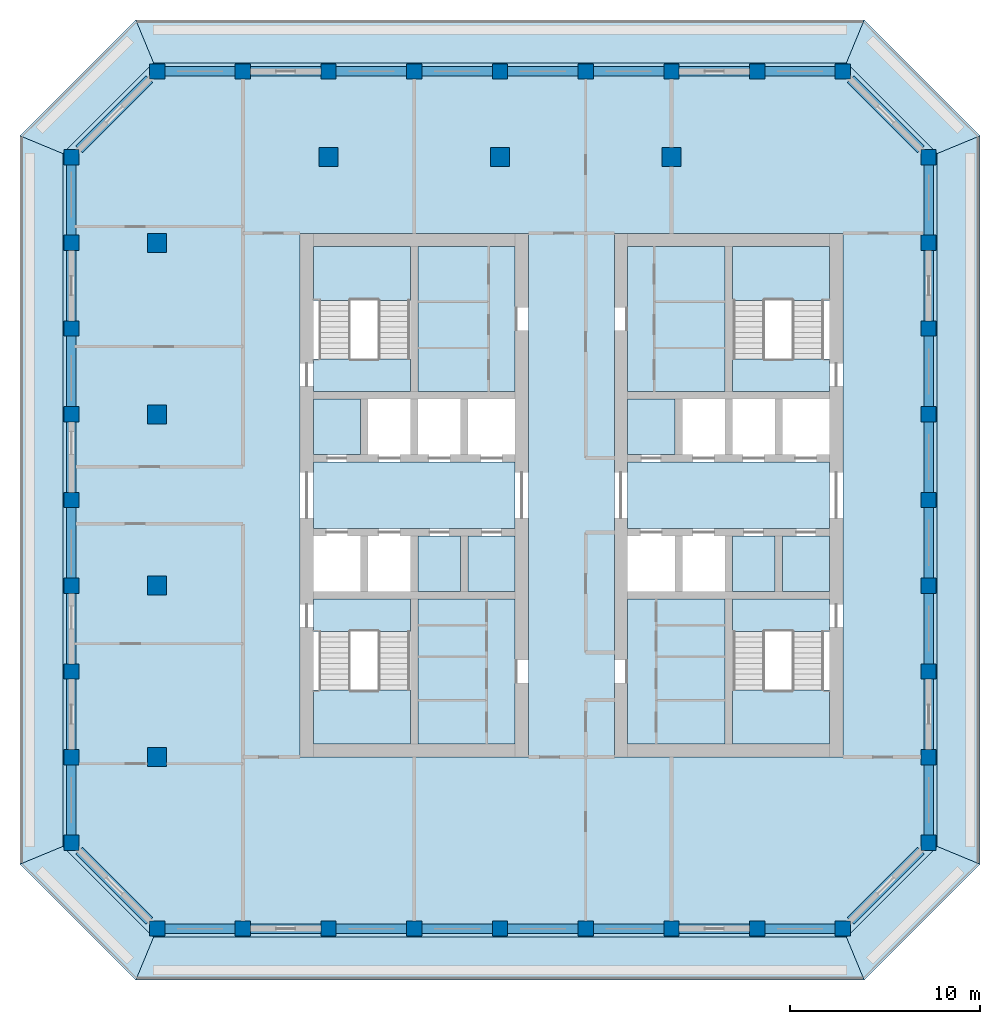
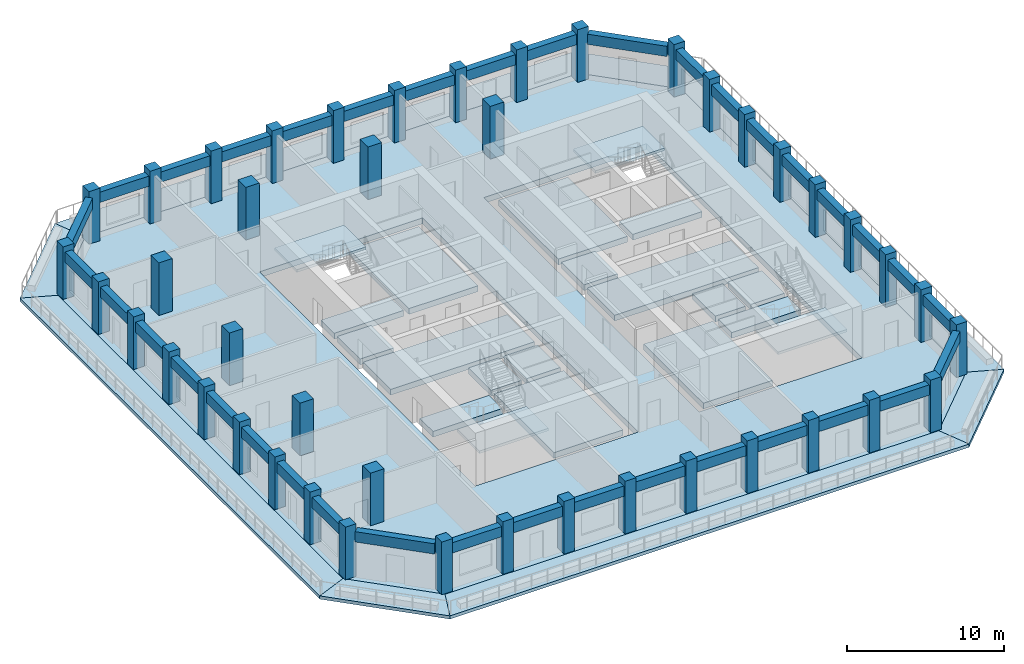
# One storey, part 1 of 14: 43 columns, 36 beams, 29 slabs, 4 elements without a shape of their own.
"""IFC4 building model written with IfcOpenShell, lengths in metres."""

from ifc_helpers import new_model, si_unit, direction, frame, origin, origin_2d, place, context, subcontext, project, spatial, polyline, rectangle, outline, extrude, material, layer, layer_set, material_profile, profile_set, type_object, element, aggregate, save


model = new_model("IFC4")

# Units and contexts
model_context = context("Model", 3, precision=1e-05, world=origin(), true_north=direction((0.0, 1.0)))
body_context = subcontext(model_context, "Body", "Model", "MODEL_VIEW")
ifc_project = project(units=[si_unit("LENGTHUNIT", "METRE"), si_unit("AREAUNIT", "SQUARE_METRE"), si_unit("VOLUMEUNIT", "CUBIC_METRE"), si_unit("PLANEANGLEUNIT", "RADIAN"), si_unit("MASSUNIT", "GRAM", prefix="KILO")], contexts=[model_context])

# Site, building, storey
site_placement = place(None, origin())
site = spatial("IfcSite", under=ifc_project, at=site_placement, CompositionType="ELEMENT")
building_placement = place(site_placement, origin())
building = spatial("IfcBuilding", under=site, at=building_placement, Name="Corbel Stack Research Tower", CompositionType="ELEMENT")
storey_placement = place(building_placement, frame((0.0, 0.0, 286.800048828125)))
storey = spatial("IfcBuildingStorey", under=building, at=storey_placement, Name="L65", CompositionType="ELEMENT", Elevation=286.800048828125)

# Columns
ifc_material_1 = material(Name="Concrete C60/75", Category="concrete")
ifc_material_profile_1 = material_profile(ifc_material_1, rectangle(XDim=1.0, YDim=1.0, at=origin_2d()), Name="RC 1000 x 1000")
ifc_profile_set_1 = profile_set([ifc_material_profile_1], Name="Concrete C60/75")
column_type_1 = type_object("IfcColumnType", Name="C-1000-60", PredefinedType="COLUMN", material=ifc_profile_set_1)
for number, where, z_axis, x_axis, name in (
    (1, (-18.0, -9.0, 0.0), (0.0, 0.0, 1.0), (1.0, 0.0, 0.0), "Column 4/F L65"),
    (2, (-18.0, 0.0, 0.0), (0.0, 0.0, 1.0), (1.0, 0.0, 0.0), "Column 4/H L65"),
    (3, (-18.0, 9.0, 0.0), (0.0, 0.0, 1.0), (1.0, 0.0, 0.0), "Column 4/K L65"),
    (4, (-18.0, 18.0, 0.0), (0.0, 0.0, 1.0), (1.0, 0.0, 0.0), "Column 4/M L65"),
    (5, (-9.0, 22.5, 0.0), (0.0, 0.0, 1.0), (1.0, 0.0, 0.0), "Column 6/N L65"),
    (6, (0.0, 22.5, 0.0), (0.0, 0.0, 1.0), (1.0, 0.0, 0.0), "Column 8/N L65"),
    (7, (9.0, 22.5, 0.0), (0.0, 0.0, 1.0), (1.0, 0.0, 0.0), "Column 10/N L65"),
):
    element("IfcColumn", number, at=place(storey_placement, frame(where, z_axis=z_axis, x_axis=x_axis)), inside=storey, type_object=column_type_1, Name=name, PredefinedType="COLUMN", context=body_context, shape_type="SweptSolid", body=[
        extrude(rectangle(XDim=1.0, YDim=1.0, at=origin_2d()), origin(), (0.0, 0.0, 1.0), 4.099853515625),
    ])
ifc_material_2 = material(Name="Concrete C60/75", Category="concrete")
ifc_material_profile_2 = material_profile(ifc_material_2, rectangle(XDim=0.800048828125, YDim=0.800048828125, at=origin_2d()), Name="RC 800 x 800")
ifc_profile_set_2 = profile_set([ifc_material_profile_2], Name="Concrete C60/75")
column_type_2 = type_object("IfcColumnType", Name="C-800-60", PredefinedType="COLUMN", material=ifc_profile_set_2)
for number, where, z_axis, x_axis, name in (
    (8, (-22.5, -13.5, 0.0), (0.0, 0.0, 1.0), (1.0, 0.0, 0.0), "Column 3/E L65"),
    (9, (-22.5, -9.0, 0.0), (0.0, 0.0, 1.0), (1.0, 0.0, 0.0), "Column 3/F L65"),
    (10, (-22.5, -4.5, 0.0), (0.0, 0.0, 1.0), (1.0, 0.0, 0.0), "Column 3/G L65"),
    (11, (-22.5, 0.0, 0.0), (0.0, 0.0, 1.0), (1.0, 0.0, 0.0), "Column 3/H L65"),
    (12, (-22.5, 4.5, 0.0), (0.0, 0.0, 1.0), (1.0, 0.0, 0.0), "Column 3/J L65"),
    (13, (-22.5, 9.0, 0.0), (0.0, 0.0, 1.0), (1.0, 0.0, 0.0), "Column 3/K L65"),
    (14, (-22.5, 13.5, 0.0), (0.0, 0.0, 1.0), (1.0, 0.0, 0.0), "Column 3/L L65"),
    (15, (-22.5, 18.0, 0.0), (0.0, 0.0, 1.0), (1.0, 0.0, 0.0), "Column 3/M L65"),
    (16, (-22.5, 22.5, 0.0), (0.0, 0.0, 1.0), (1.0, 0.0, 0.0), "Column 3/N L65"),
    (17, (-18.0, -18.0, 0.0), (0.0, 0.0, 1.0), (1.0, 0.0, 0.0), "Column 4/D L65"),
    (18, (-18.0, 27.0, 0.0), (0.0, 0.0, 1.0), (1.0, 0.0, 0.0), "Column 4/P L65"),
    (19, (-13.5, -18.0, 0.0), (0.0, 0.0, 1.0), (1.0, 0.0, 0.0), "Column 5/D L65"),
    (20, (-13.5, 27.0, 0.0), (0.0, 0.0, 1.0), (1.0, 0.0, 0.0), "Column 5/P L65"),
    (21, (-9.0, -18.0, 0.0), (0.0, 0.0, 1.0), (1.0, 0.0, 0.0), "Column 6/D L65"),
    (22, (-9.0, 27.0, 0.0), (0.0, 0.0, 1.0), (1.0, 0.0, 0.0), "Column 6/P L65"),
    (23, (-4.5, -18.0, 0.0), (0.0, 0.0, 1.0), (1.0, 0.0, 0.0), "Column 7/D L65"),
    (24, (-4.5, 27.0, 0.0), (0.0, 0.0, 1.0), (1.0, 0.0, 0.0), "Column 7/P L65"),
    (25, (0.0, -18.0, 0.0), (0.0, 0.0, 1.0), (1.0, 0.0, 0.0), "Column 8/D L65"),
    (26, (0.0, 27.0, 0.0), (0.0, 0.0, 1.0), (1.0, 0.0, 0.0), "Column 8/P L65"),
    (27, (4.5, -18.0, 0.0), (0.0, 0.0, 1.0), (1.0, 0.0, 0.0), "Column 9/D L65"),
    (28, (4.5, 27.0, 0.0), (0.0, 0.0, 1.0), (1.0, 0.0, 0.0), "Column 9/P L65"),
    (29, (9.0, -18.0, 0.0), (0.0, 0.0, 1.0), (1.0, 0.0, 0.0), "Column 10/D L65"),
    (30, (9.0, 27.0, 0.0), (0.0, 0.0, 1.0), (1.0, 0.0, 0.0), "Column 10/P L65"),
    (31, (13.5, -18.0, 0.0), (0.0, 0.0, 1.0), (1.0, 0.0, 0.0), "Column 11/D L65"),
    (32, (13.5, 27.0, 0.0), (0.0, 0.0, 1.0), (1.0, 0.0, 0.0), "Column 11/P L65"),
    (33, (18.0, -18.0, 0.0), (0.0, 0.0, 1.0), (1.0, 0.0, 0.0), "Column 12/D L65"),
    (34, (18.0, 27.0, 0.0), (0.0, 0.0, 1.0), (1.0, 0.0, 0.0), "Column 12/P L65"),
    (35, (22.5, -13.5, 0.0), (0.0, 0.0, 1.0), (1.0, 0.0, 0.0), "Column 13/E L65"),
    (36, (22.5, -9.0, 0.0), (0.0, 0.0, 1.0), (1.0, 0.0, 0.0), "Column 13/F L65"),
    (37, (22.5, -4.5, 0.0), (0.0, 0.0, 1.0), (1.0, 0.0, 0.0), "Column 13/G L65"),
    (38, (22.5, 0.0, 0.0), (0.0, 0.0, 1.0), (1.0, 0.0, 0.0), "Column 13/H L65"),
    (39, (22.5, 4.5, 0.0), (0.0, 0.0, 1.0), (1.0, 0.0, 0.0), "Column 13/J L65"),
    (40, (22.5, 9.0, 0.0), (0.0, 0.0, 1.0), (1.0, 0.0, 0.0), "Column 13/K L65"),
    (41, (22.5, 13.5, 0.0), (0.0, 0.0, 1.0), (1.0, 0.0, 0.0), "Column 13/L L65"),
    (42, (22.5, 18.0, 0.0), (0.0, 0.0, 1.0), (1.0, 0.0, 0.0), "Column 13/M L65"),
    (43, (22.5, 22.5, 0.0), (0.0, 0.0, 1.0), (1.0, 0.0, 0.0), "Column 13/N L65"),
):
    element("IfcColumn", number, at=place(storey_placement, frame(where, z_axis=z_axis, x_axis=x_axis)), inside=storey, type_object=column_type_2, Name=name, PredefinedType="COLUMN", context=body_context, shape_type="SweptSolid", body=[
        extrude(rectangle(XDim=0.800048828125, YDim=0.800048828125, at=origin_2d()), origin(), (0.0, 0.0, 1.0), 4.099853515625),
    ])

# Beams
ifc_material_3 = material(Name="Concrete C60/75", Category="concrete")
ifc_material_profile_3 = material_profile(ifc_material_3, rectangle(XDim=0.5, YDim=0.800048828125, at=origin_2d()), Name="RC 500 x 800")
ifc_profile_set_3 = profile_set([ifc_material_profile_3], Name="Concrete C60/75")
beam_type = type_object("IfcBeamType", Name="SB-500-800-450", PredefinedType="SPANDREL", material=ifc_profile_set_3)
for number, where, z_axis, x_axis, name in (
    (44, (-17.60009765625, -18.0, 3.25), (1.0, 0.0, 0.0), (0.0, 1.0, 0.0), "Spandrel beam L65-01"),
    (45, (-13.10009765625, -18.0, 3.25), (1.0, 0.0, 0.0), (0.0, 1.0, 0.0), "Spandrel beam L65-02"),
    (46, (-8.60009765625, -18.0, 3.25), (1.0, 0.0, 0.0), (0.0, 1.0, 0.0), "Spandrel beam L65-03"),
    (47, (-4.10009765625, -18.0, 3.25), (1.0, 0.0, 0.0), (0.0, 1.0, 0.0), "Spandrel beam L65-04"),
    (48, (0.39990234375, -18.0, 3.25), (1.0, 0.0, 0.0), (0.0, 1.0, 0.0), "Spandrel beam L65-05"),
    (49, (4.89990234375, -18.0, 3.25), (1.0, 0.0, 0.0), (0.0, 1.0, 0.0), "Spandrel beam L65-06"),
    (50, (9.39990234375, -18.0, 3.25), (1.0, 0.0, 0.0), (0.0, 1.0, 0.0), "Spandrel beam L65-07"),
    (51, (13.89990234375, -18.0, 3.25), (1.0, 0.0, 0.0), (0.0, 1.0, 0.0), "Spandrel beam L65-08"),
):
    element("IfcBeam", number, at=place(storey_placement, frame(where, z_axis=z_axis, x_axis=x_axis)), inside=storey, type_object=beam_type, Name=name, PredefinedType="SPANDREL", context=body_context, shape_type="SweptSolid", body=[
        extrude(rectangle(XDim=0.5, YDim=0.800048828125, at=origin_2d()), origin(), (0.0, 0.0, 1.0), 3.7001953125),
    ])
beam_1_placement = place(storey_placement, frame((18.39990234375, -17.60009765625, 3.25), z_axis=(0.707106781187, 0.707106781187, 0.0), x_axis=(-0.707106781187, 0.707106781187, 0.0)))
element("IfcBeam", 52, at=beam_1_placement, inside=storey, type_object=beam_type, Name="Spandrel beam L65-09", PredefinedType="SPANDREL", context=body_context, shape_type="SweptSolid", body=[
    extrude(rectangle(XDim=0.5, YDim=0.800048828125, at=origin_2d()), origin(), (0.0, 0.0, 1.0), 5.23291015625),
])
for number, where, z_axis, x_axis, name in (
    (53, (22.5, -13.10009765625, 3.25), (0.0, 1.0, 0.0), (-1.0, 0.0, 0.0), "Spandrel beam L65-10"),
    (54, (22.5, -8.60009765625, 3.25), (0.0, 1.0, 0.0), (-1.0, 0.0, 0.0), "Spandrel beam L65-11"),
    (55, (22.5, -4.10009765625, 3.25), (0.0, 1.0, 0.0), (-1.0, 0.0, 0.0), "Spandrel beam L65-12"),
    (56, (22.5, 0.39990234375, 3.25), (0.0, 1.0, 0.0), (-1.0, 0.0, 0.0), "Spandrel beam L65-13"),
    (57, (22.5, 4.89990234375, 3.25), (0.0, 1.0, 0.0), (-1.0, 0.0, 0.0), "Spandrel beam L65-14"),
    (58, (22.5, 9.39990234375, 3.25), (0.0, 1.0, 0.0), (-1.0, 0.0, 0.0), "Spandrel beam L65-15"),
    (59, (22.5, 13.89990234375, 3.25), (0.0, 1.0, 0.0), (-1.0, 0.0, 0.0), "Spandrel beam L65-16"),
    (60, (22.5, 18.39990234375, 3.25), (0.0, 1.0, 0.0), (-1.0, 0.0, 0.0), "Spandrel beam L65-17"),
):
    element("IfcBeam", number, at=place(storey_placement, frame(where, z_axis=z_axis, x_axis=x_axis)), inside=storey, type_object=beam_type, Name=name, PredefinedType="SPANDREL", context=body_context, shape_type="SweptSolid", body=[
        extrude(rectangle(XDim=0.5, YDim=0.800048828125, at=origin_2d()), origin(), (0.0, 0.0, 1.0), 3.7001953125),
    ])
beam_2_placement = place(storey_placement, frame((22.10009765625, 22.89990234375, 3.25), z_axis=(-0.707106781187, 0.707106781187, 0.0), x_axis=(-0.707106781187, -0.707106781187, 0.0)))
element("IfcBeam", 61, at=beam_2_placement, inside=storey, type_object=beam_type, Name="Spandrel beam L65-18", PredefinedType="SPANDREL", context=body_context, shape_type="SweptSolid", body=[
    extrude(rectangle(XDim=0.5, YDim=0.800048828125, at=origin_2d()), origin(), (0.0, 0.0, 1.0), 5.23291015625),
])
for number, where, z_axis, x_axis, name in (
    (62, (17.60009765625, 27.0, 3.25), (-1.0, 0.0, 0.0), (0.0, -1.0, 0.0), "Spandrel beam L65-19"),
    (63, (13.10009765625, 27.0, 3.25), (-1.0, 0.0, 0.0), (0.0, -1.0, 0.0), "Spandrel beam L65-20"),
    (64, (8.60009765625, 27.0, 3.25), (-1.0, 0.0, 0.0), (0.0, -1.0, 0.0), "Spandrel beam L65-21"),
    (65, (4.10009765625, 27.0, 3.25), (-1.0, 0.0, 0.0), (0.0, -1.0, 0.0), "Spandrel beam L65-22"),
    (66, (-0.39990234375, 27.0, 3.25), (-1.0, 0.0, 0.0), (0.0, -1.0, 0.0), "Spandrel beam L65-23"),
    (67, (-4.89990234375, 27.0, 3.25), (-1.0, 0.0, 0.0), (0.0, -1.0, 0.0), "Spandrel beam L65-24"),
    (68, (-9.39990234375, 27.0, 3.25), (-1.0, 0.0, 0.0), (0.0, -1.0, 0.0), "Spandrel beam L65-25"),
    (69, (-13.89990234375, 27.0, 3.25), (-1.0, 0.0, 0.0), (0.0, -1.0, 0.0), "Spandrel beam L65-26"),
):
    element("IfcBeam", number, at=place(storey_placement, frame(where, z_axis=z_axis, x_axis=x_axis)), inside=storey, type_object=beam_type, Name=name, PredefinedType="SPANDREL", context=body_context, shape_type="SweptSolid", body=[
        extrude(rectangle(XDim=0.5, YDim=0.800048828125, at=origin_2d()), origin(), (0.0, 0.0, 1.0), 3.7001953125),
    ])
beam_3_placement = place(storey_placement, frame((-18.39990234375, 26.60009765625, 3.25), z_axis=(-0.707106781187, -0.707106781187, 0.0), x_axis=(0.707106781187, -0.707106781187, 0.0)))
element("IfcBeam", 70, at=beam_3_placement, inside=storey, type_object=beam_type, Name="Spandrel beam L65-27", PredefinedType="SPANDREL", context=body_context, shape_type="SweptSolid", body=[
    extrude(rectangle(XDim=0.5, YDim=0.800048828125, at=origin_2d()), origin(), (0.0, 0.0, 1.0), 5.23291015625),
])
for number, where, z_axis, x_axis, name in (
    (71, (-22.5, 22.10009765625, 3.25), (0.0, -1.0, 0.0), (1.0, 0.0, 0.0), "Spandrel beam L65-28"),
    (72, (-22.5, 17.60009765625, 3.25), (0.0, -1.0, 0.0), (1.0, 0.0, 0.0), "Spandrel beam L65-29"),
    (73, (-22.5, 13.10009765625, 3.25), (0.0, -1.0, 0.0), (1.0, 0.0, 0.0), "Spandrel beam L65-30"),
    (74, (-22.5, 8.60009765625, 3.25), (0.0, -1.0, 0.0), (1.0, 0.0, 0.0), "Spandrel beam L65-31"),
    (75, (-22.5, 4.10009765625, 3.25), (0.0, -1.0, 0.0), (1.0, 0.0, 0.0), "Spandrel beam L65-32"),
    (76, (-22.5, -0.39990234375, 3.25), (0.0, -1.0, 0.0), (1.0, 0.0, 0.0), "Spandrel beam L65-33"),
    (77, (-22.5, -4.89990234375, 3.25), (0.0, -1.0, 0.0), (1.0, 0.0, 0.0), "Spandrel beam L65-34"),
    (78, (-22.5, -9.39990234375, 3.25), (0.0, -1.0, 0.0), (1.0, 0.0, 0.0), "Spandrel beam L65-35"),
):
    element("IfcBeam", number, at=place(storey_placement, frame(where, z_axis=z_axis, x_axis=x_axis)), inside=storey, type_object=beam_type, Name=name, PredefinedType="SPANDREL", context=body_context, shape_type="SweptSolid", body=[
        extrude(rectangle(XDim=0.5, YDim=0.800048828125, at=origin_2d()), origin(), (0.0, 0.0, 1.0), 3.7001953125),
    ])
beam_4_placement = place(storey_placement, frame((-22.10009765625, -13.89990234375, 3.25), z_axis=(0.707106781187, -0.707106781187, 0.0), x_axis=(0.707106781187, 0.707106781187, 0.0)))
element("IfcBeam", 79, at=beam_4_placement, inside=storey, type_object=beam_type, Name="Spandrel beam L65-36", PredefinedType="SPANDREL", context=body_context, shape_type="SweptSolid", body=[
    extrude(rectangle(XDim=0.5, YDim=0.800048828125, at=origin_2d()), origin(), (0.0, 0.0, 1.0), 5.23291015625),
])

# Slabs
ifc_material_4 = material(Name="Concrete C45/55", Category="concrete")
ifc_layer_1 = layer(ifc_material_4, 0.25)
ifc_layer_set_1 = layer_set([ifc_layer_1], Name="Concrete C45/55")
slab_type_1 = type_object("IfcSlabType", Name="PT balcony slab 250 C45/55", PredefinedType="FLOOR", material=ifc_layer_set_1)
slab_1_placement = place(storey_placement, frame((0.0, 0.0, -0.25)))
element("IfcSlab", 80, at=slab_1_placement, inside=storey, type_object=slab_type_1, Name="Loggia slab L65 S", PredefinedType="FLOOR", context=body_context, shape_type="SweptSolid", body=[
    extrude(outline(polyline([(18.186279296875, -18.449951171875), (-18.186279296875, -18.449951171875), (-19.118408203125, -20.699951171875), (19.118408203125, -20.699951171875), (18.186279296875, -18.449951171875)])), origin(), (0.0, 0.0, 1.0), 0.25),
])
slab_2_placement = place(storey_placement, frame((0.0, 0.0, -0.25)))
element("IfcSlab", 81, at=slab_2_placement, inside=storey, type_object=slab_type_1, Name="Loggia slab L65 SE", PredefinedType="FLOOR", context=body_context, shape_type="SweptSolid", body=[
    extrude(outline(polyline([(22.949951171875, -13.686279296875), (22.89990234375, -13.736328125), (22.89990234375, -13.89990234375), (22.736328125, -13.89990234375), (18.39990234375, -18.236328125), (18.39990234375, -18.39990234375), (18.236328125, -18.39990234375), (18.186279296875, -18.449951171875), (19.118408203125, -20.699951171875), (25.199951171875, -14.618408203125), (22.949951171875, -13.686279296875)])), origin(), (0.0, 0.0, 1.0), 0.25),
])
slab_3_placement = place(storey_placement, frame((0.0, 0.0, -0.25)))
element("IfcSlab", 82, at=slab_3_placement, inside=storey, type_object=slab_type_1, Name="Loggia slab L65 E", PredefinedType="FLOOR", context=body_context, shape_type="SweptSolid", body=[
    extrude(outline(polyline([(22.949951171875, 22.686279296875), (22.949951171875, -13.686279296875), (25.199951171875, -14.618408203125), (25.199951171875, 23.618408203125), (22.949951171875, 22.686279296875)])), origin(), (0.0, 0.0, 1.0), 0.25),
])
slab_4_placement = place(storey_placement, frame((0.0, 0.0, -0.25)))
element("IfcSlab", 83, at=slab_4_placement, inside=storey, type_object=slab_type_1, Name="Loggia slab L65 NE", PredefinedType="FLOOR", context=body_context, shape_type="SweptSolid", body=[
    extrude(outline(polyline([(18.186279296875, 27.449951171875), (18.236328125, 27.39990234375), (18.39990234375, 27.39990234375), (18.39990234375, 27.236328125), (22.736328125, 22.89990234375), (22.89990234375, 22.89990234375), (22.89990234375, 22.736328125), (22.949951171875, 22.686279296875), (25.199951171875, 23.618408203125), (19.118408203125, 29.699951171875), (18.186279296875, 27.449951171875)])), origin(), (0.0, 0.0, 1.0), 0.25),
])
slab_5_placement = place(storey_placement, frame((0.0, 0.0, -0.25)))
element("IfcSlab", 84, at=slab_5_placement, inside=storey, type_object=slab_type_1, Name="Loggia slab L65 N", PredefinedType="FLOOR", context=body_context, shape_type="SweptSolid", body=[
    extrude(outline(polyline([(-18.186279296875, 27.449951171875), (18.186279296875, 27.449951171875), (19.118408203125, 29.699951171875), (-19.118408203125, 29.699951171875), (-18.186279296875, 27.449951171875)])), origin(), (0.0, 0.0, 1.0), 0.25),
])
slab_6_placement = place(storey_placement, frame((0.0, 0.0, -0.25)))
element("IfcSlab", 85, at=slab_6_placement, inside=storey, type_object=slab_type_1, Name="Loggia slab L65 NW", PredefinedType="FLOOR", context=body_context, shape_type="SweptSolid", body=[
    extrude(outline(polyline([(-22.949951171875, 22.686279296875), (-22.89990234375, 22.736328125), (-22.89990234375, 22.89990234375), (-22.736328125, 22.89990234375), (-18.39990234375, 27.236328125), (-18.39990234375, 27.39990234375), (-18.236328125, 27.39990234375), (-18.186279296875, 27.449951171875), (-19.118408203125, 29.699951171875), (-25.199951171875, 23.618408203125), (-22.949951171875, 22.686279296875)])), origin(), (0.0, 0.0, 1.0), 0.25),
])
slab_7_placement = place(storey_placement, frame((0.0, 0.0, -0.25)))
element("IfcSlab", 86, at=slab_7_placement, inside=storey, type_object=slab_type_1, Name="Loggia slab L65 W", PredefinedType="FLOOR", context=body_context, shape_type="SweptSolid", body=[
    extrude(outline(polyline([(-22.949951171875, -13.686279296875), (-22.949951171875, 22.686279296875), (-25.199951171875, 23.618408203125), (-25.199951171875, -14.618408203125), (-22.949951171875, -13.686279296875)])), origin(), (0.0, 0.0, 1.0), 0.25),
])
slab_8_placement = place(storey_placement, frame((0.0, 0.0, -0.25)))
element("IfcSlab", 87, at=slab_8_placement, inside=storey, type_object=slab_type_1, Name="Loggia slab L65 SW", PredefinedType="FLOOR", context=body_context, shape_type="SweptSolid", body=[
    extrude(outline(polyline([(-18.186279296875, -18.449951171875), (-18.236328125, -18.39990234375), (-18.39990234375, -18.39990234375), (-18.39990234375, -18.236328125), (-22.736328125, -13.89990234375), (-22.89990234375, -13.89990234375), (-22.89990234375, -13.736328125), (-22.949951171875, -13.686279296875), (-25.199951171875, -14.618408203125), (-19.118408203125, -20.699951171875), (-18.186279296875, -18.449951171875)])), origin(), (0.0, 0.0, 1.0), 0.25),
])
ifc_material_5 = material(Name="Concrete C45/55", Category="concrete")
ifc_layer_2 = layer(ifc_material_5, 0.449951171875)
ifc_layer_set_2 = layer_set([ifc_layer_2], Name="Concrete C45/55")
slab_type_2 = type_object("IfcSlabType", Name="PT-450", PredefinedType="FLOOR", material=ifc_layer_set_2)
slab_9_placement = place(storey_placement, frame((0.0, 0.0, -0.449951171875)))
element("IfcSlab", 88, at=slab_9_placement, inside=storey, type_object=slab_type_2, Name="Floor slab L65", PredefinedType="FLOOR", context=body_context, shape_type="SweptSolid", body=[
    extrude(outline(polyline([(-18.186279296875, -18.449951171875), (18.186279296875, -18.449951171875), (22.949951171875, -13.686279296875), (22.949951171875, 22.686279296875), (18.186279296875, 27.449951171875), (-18.186279296875, 27.449951171875), (-22.949951171875, 22.686279296875), (-22.949951171875, -13.686279296875), (-18.186279296875, -18.449951171875)]), holes=[polyline([(18.0, 18.5), (18.0, -9.0), (6.0, -9.0), (6.0, 18.5), (18.0, 18.5)]), polyline([(9.5, 22.0), (8.5, 22.0), (8.5, 23.0), (9.5, 23.0), (9.5, 22.0)]), polyline([(1.5, 18.5), (1.5, -9.0), (-10.5, -9.0), (-10.5, 18.5), (1.5, 18.5)]), polyline([(0.5, 22.0), (-0.5, 22.0), (-0.5, 23.0), (0.5, 23.0), (0.5, 22.0)]), polyline([(-8.5, 23.0), (-8.5, 22.0), (-9.5, 22.0), (-9.5, 23.0), (-8.5, 23.0)]), polyline([(-17.5, -8.5), (-17.5, -9.5), (-18.5, -9.5), (-18.5, -8.5), (-17.5, -8.5)]), polyline([(-17.5, 0.5), (-17.5, -0.5), (-18.5, -0.5), (-18.5, 0.5), (-17.5, 0.5)]), polyline([(-17.5, 9.5), (-17.5, 8.5), (-18.5, 8.5), (-18.5, 9.5), (-17.5, 9.5)]), polyline([(-17.5, 18.5), (-17.5, 17.5), (-18.5, 17.5), (-18.5, 18.5), (-17.5, 18.5)])]), origin(), (0.0, 0.0, 1.0), 0.449951171875),
])
slab_10_placement = place(storey_placement, frame((0.0, 0.0, -0.449951171875)))
element("IfcSlab", 89, at=slab_10_placement, inside=storey, type_object=slab_type_2, Name="West core floor L65", PredefinedType="FLOOR", context=body_context, shape_type="SweptSolid", body=[
    extrude(outline(polyline([(-9.800048828125, 6.5), (-9.800048828125, 3.0), (0.800048828125, 3.0), (0.800048828125, 6.5), (-9.800048828125, 6.5)])), origin(), (0.0, 0.0, 1.0), 0.449951171875),
])
slab_11_placement = place(storey_placement, frame((0.0, 0.0, -0.449951171875)))
element("IfcSlab", 90, at=slab_11_placement, inside=storey, type_object=slab_type_2, Name="West core floor L65", PredefinedType="FLOOR", context=body_context, shape_type="SweptSolid", body=[
    extrude(outline(polyline([(-9.800048828125, 6.89990234375), (-7.324951171875, 6.89990234375), (-7.324951171875, 9.800048828125), (-9.800048828125, 9.800048828125), (-9.800048828125, 6.89990234375)])), origin(), (0.0, 0.0, 1.0), 0.449951171875),
])
slab_12_placement = place(storey_placement, frame((0.0, 0.0, -0.449951171875)))
element("IfcSlab", 91, at=slab_12_placement, inside=storey, type_object=slab_type_2, Name="West core floor L65", PredefinedType="FLOOR", context=body_context, shape_type="SweptSolid", body=[
    extrude(outline(polyline([(-4.300048828125, -0.699951171875), (-4.300048828125, -8.300048828125), (0.800048828125, -8.300048828125), (0.800048828125, -0.699951171875), (-4.300048828125, -0.699951171875)])), origin(), (0.0, 0.0, 1.0), 0.449951171875),
])
slab_13_placement = place(storey_placement, frame((0.0, 0.0, -0.449951171875)))
element("IfcSlab", 92, at=slab_13_placement, inside=storey, type_object=slab_type_2, Name="West core floor L65", PredefinedType="FLOOR", context=body_context, shape_type="SweptSolid", body=[
    extrude(outline(polyline([(-4.300048828125, 2.60009765625), (-4.300048828125, -0.300048828125), (-2.074951171875, -0.300048828125), (-2.074951171875, 2.60009765625), (-4.300048828125, 2.60009765625)])), origin(), (0.0, 0.0, 1.0), 0.449951171875),
])
slab_14_placement = place(storey_placement, frame((0.0, 0.0, -0.449951171875)))
element("IfcSlab", 93, at=slab_14_placement, inside=storey, type_object=slab_type_2, Name="West core floor L65", PredefinedType="FLOOR", context=body_context, shape_type="SweptSolid", body=[
    extrude(outline(polyline([(-4.300048828125, 17.800048828125), (-4.300048828125, 10.199951171875), (0.800048828125, 10.199951171875), (0.800048828125, 17.800048828125), (-4.300048828125, 17.800048828125)])), origin(), (0.0, 0.0, 1.0), 0.449951171875),
])
slab_15_placement = place(storey_placement, frame((0.0, 0.0, -0.449951171875)))
element("IfcSlab", 94, at=slab_15_placement, inside=storey, type_object=slab_type_2, Name="West core floor L65", PredefinedType="FLOOR", context=body_context, shape_type="SweptSolid", body=[
    extrude(outline(polyline([(-1.675048828125, 2.60009765625), (-1.675048828125, -0.300048828125), (0.800048828125, -0.300048828125), (0.800048828125, 2.60009765625), (-1.675048828125, 2.60009765625)])), origin(), (0.0, 0.0, 1.0), 0.449951171875),
])
slab_16_placement = place(storey_placement, frame((0.0, 0.0, -0.449951171875)))
element("IfcSlab", 95, at=slab_16_placement, inside=storey, type_object=slab_type_2, Name="East core floor L65", PredefinedType="FLOOR", context=body_context, shape_type="SweptSolid", body=[
    extrude(outline(polyline([(6.699951171875, -8.300048828125), (11.800048828125, -8.300048828125), (11.800048828125, -0.699951171875), (6.699951171875, -0.699951171875), (6.699951171875, -8.300048828125)])), origin(), (0.0, 0.0, 1.0), 0.449951171875),
])
slab_17_placement = place(storey_placement, frame((0.0, 0.0, -0.449951171875)))
element("IfcSlab", 96, at=slab_17_placement, inside=storey, type_object=slab_type_2, Name="East core floor L65", PredefinedType="FLOOR", context=body_context, shape_type="SweptSolid", body=[
    extrude(outline(polyline([(6.699951171875, 3.0), (17.300048828125, 3.0), (17.300048828125, 6.5), (6.699951171875, 6.5), (6.699951171875, 3.0)])), origin(), (0.0, 0.0, 1.0), 0.449951171875),
])
slab_18_placement = place(storey_placement, frame((0.0, 0.0, -0.449951171875)))
element("IfcSlab", 97, at=slab_18_placement, inside=storey, type_object=slab_type_2, Name="East core floor L65", PredefinedType="FLOOR", context=body_context, shape_type="SweptSolid", body=[
    extrude(outline(polyline([(6.699951171875, 6.89990234375), (9.175048828125, 6.89990234375), (9.175048828125, 9.800048828125), (6.699951171875, 9.800048828125), (6.699951171875, 6.89990234375)])), origin(), (0.0, 0.0, 1.0), 0.449951171875),
])
slab_19_placement = place(storey_placement, frame((0.0, 0.0, -0.449951171875)))
element("IfcSlab", 98, at=slab_19_placement, inside=storey, type_object=slab_type_2, Name="East core floor L65", PredefinedType="FLOOR", context=body_context, shape_type="SweptSolid", body=[
    extrude(outline(polyline([(6.699951171875, 10.199951171875), (11.800048828125, 10.199951171875), (11.800048828125, 17.800048828125), (6.699951171875, 17.800048828125), (6.699951171875, 10.199951171875)])), origin(), (0.0, 0.0, 1.0), 0.449951171875),
])
slab_20_placement = place(storey_placement, frame((0.0, 0.0, -0.449951171875)))
element("IfcSlab", 99, at=slab_20_placement, inside=storey, type_object=slab_type_2, Name="East core floor L65", PredefinedType="FLOOR", context=body_context, shape_type="SweptSolid", body=[
    extrude(outline(polyline([(12.199951171875, 2.60009765625), (12.199951171875, -0.300048828125), (14.425048828125, -0.300048828125), (14.425048828125, 2.60009765625), (12.199951171875, 2.60009765625)])), origin(), (0.0, 0.0, 1.0), 0.449951171875),
])
slab_21_placement = place(storey_placement, frame((0.0, 0.0, -0.449951171875)))
element("IfcSlab", 100, at=slab_21_placement, inside=storey, type_object=slab_type_2, Name="East core floor L65", PredefinedType="FLOOR", context=body_context, shape_type="SweptSolid", body=[
    extrude(outline(polyline([(14.824951171875, 2.60009765625), (14.824951171875, -0.300048828125), (17.300048828125, -0.300048828125), (17.300048828125, 2.60009765625), (14.824951171875, 2.60009765625)])), origin(), (0.0, 0.0, 1.0), 0.449951171875),
])
slab_22_placement = place(storey_placement, frame((0.0, 0.0, -0.449951171875)))
element("IfcSlab", 101, at=slab_22_placement, inside=storey, type_object=slab_type_2, Name="Stair floor landing ST-W1", PredefinedType="FLOOR", context=body_context, shape_type="SweptSolid", body=[
    extrude(outline(polyline([(-9.800048828125, -2.39990234375), (-4.699951171875, -2.39990234375), (-4.699951171875, -0.699951171875), (-9.800048828125, -0.699951171875), (-9.800048828125, -2.39990234375)])), origin(), (0.0, 0.0, 1.0), 0.449951171875),
])
slab_23_placement = place(storey_placement, frame((0.0, 0.0, -0.449951171875)))
element("IfcSlab", 102, at=slab_23_placement, inside=storey, type_object=slab_type_2, Name="Stair floor landing ST-W2", PredefinedType="FLOOR", context=body_context, shape_type="SweptSolid", body=[
    extrude(outline(polyline([(-9.800048828125, 10.199951171875), (-4.699951171875, 10.199951171875), (-4.699951171875, 11.89990234375), (-9.800048828125, 11.89990234375), (-9.800048828125, 10.199951171875)])), origin(), (0.0, 0.0, 1.0), 0.449951171875),
])
slab_24_placement = place(storey_placement, frame((0.0, 0.0, -0.449951171875)))
element("IfcSlab", 103, at=slab_24_placement, inside=storey, type_object=slab_type_2, Name="Stair floor landing ST-E1", PredefinedType="FLOOR", context=body_context, shape_type="SweptSolid", body=[
    extrude(outline(polyline([(12.199951171875, -2.39990234375), (17.300048828125, -2.39990234375), (17.300048828125, -0.699951171875), (12.199951171875, -0.699951171875), (12.199951171875, -2.39990234375)])), origin(), (0.0, 0.0, 1.0), 0.449951171875),
])
slab_25_placement = place(storey_placement, frame((0.0, 0.0, -0.449951171875)))
element("IfcSlab", 104, at=slab_25_placement, inside=storey, type_object=slab_type_2, Name="Stair floor landing ST-E2", PredefinedType="FLOOR", context=body_context, shape_type="SweptSolid", body=[
    extrude(outline(polyline([(12.199951171875, 10.199951171875), (17.300048828125, 10.199951171875), (17.300048828125, 11.89990234375), (12.199951171875, 11.89990234375), (12.199951171875, 10.199951171875)])), origin(), (0.0, 0.0, 1.0), 0.449951171875),
])

# Stair, slab
ifc_material_6 = material(Name="Concrete C40/50", Category="concrete")
stair_type = type_object("IfcStairType", Name="Exit stair 24 risers", PredefinedType="HALF_TURN_STAIR", material=ifc_material_6)
stair_1_placement = place(storey_placement, origin())
stair_1 = element("IfcStair", 105, at=stair_1_placement, inside=storey, type_object=stair_type, Name="L65 Exit stair ST-W1", PredefinedType="HALF_TURN_STAIR")
ifc_material_7 = material(Name="Concrete C40/50", Category="concrete")
ifc_layer_3 = layer(ifc_material_7, 0.199951171875)
ifc_layer_set_3 = layer_set([ifc_layer_3], Name="Concrete C40/50")
slab_type_3 = type_object("IfcSlabType", Name="Stair landing 200 C40/50", PredefinedType="LANDING", material=ifc_layer_set_3)
slab_26_placement = place(storey_placement, frame((0.0, 0.0, 1.849853515625)))
slab_26 = element("IfcSlab", 106, at=slab_26_placement, type_object=slab_type_3, Name="ST-W1 landing 1", PredefinedType="LANDING", context=body_context, shape_type="SweptSolid", body=[
    extrude(outline(polyline([(-9.800048828125, -8.300048828125), (-9.800048828125, -5.47998046875), (-4.699951171875, -5.47998046875), (-4.699951171875, -8.300048828125), (-9.800048828125, -8.300048828125)])), origin(), (0.0, 0.0, 1.0), 0.2001953125),
])
aggregate(stair_1, [slab_26])

stair_2_placement = place(storey_placement, origin())
stair_2 = element("IfcStair", 107, at=stair_2_placement, inside=storey, type_object=stair_type, Name="L65 Exit stair ST-W2", PredefinedType="HALF_TURN_STAIR")
slab_27_placement = place(storey_placement, frame((0.0, 0.0, 1.849853515625)))
slab_27 = element("IfcSlab", 108, at=slab_27_placement, type_object=slab_type_3, Name="ST-W2 landing 1", PredefinedType="LANDING", context=body_context, shape_type="SweptSolid", body=[
    extrude(outline(polyline([(-9.800048828125, 14.97998046875), (-9.800048828125, 17.800048828125), (-4.699951171875, 17.800048828125), (-4.699951171875, 14.97998046875), (-9.800048828125, 14.97998046875)])), origin(), (0.0, 0.0, 1.0), 0.2001953125),
])
aggregate(stair_2, [slab_27])

stair_3_placement = place(storey_placement, origin())
stair_3 = element("IfcStair", 109, at=stair_3_placement, inside=storey, type_object=stair_type, Name="L65 Exit stair ST-E1", PredefinedType="HALF_TURN_STAIR")
slab_28_placement = place(storey_placement, frame((0.0, 0.0, 1.849853515625)))
slab_28 = element("IfcSlab", 110, at=slab_28_placement, type_object=slab_type_3, Name="ST-E1 landing 1", PredefinedType="LANDING", context=body_context, shape_type="SweptSolid", body=[
    extrude(outline(polyline([(12.199951171875, -8.300048828125), (12.199951171875, -5.47998046875), (17.300048828125, -5.47998046875), (17.300048828125, -8.300048828125), (12.199951171875, -8.300048828125)])), origin(), (0.0, 0.0, 1.0), 0.2001953125),
])
aggregate(stair_3, [slab_28])

stair_4_placement = place(storey_placement, origin())
stair_4 = element("IfcStair", 111, at=stair_4_placement, inside=storey, type_object=stair_type, Name="L65 Exit stair ST-E2", PredefinedType="HALF_TURN_STAIR")
slab_29_placement = place(storey_placement, frame((0.0, 0.0, 1.849853515625)))
slab_29 = element("IfcSlab", 112, at=slab_29_placement, type_object=slab_type_3, Name="ST-E2 landing 1", PredefinedType="LANDING", context=body_context, shape_type="SweptSolid", body=[
    extrude(outline(polyline([(12.199951171875, 14.97998046875), (12.199951171875, 17.800048828125), (17.300048828125, 17.800048828125), (17.300048828125, 14.97998046875), (12.199951171875, 14.97998046875)])), origin(), (0.0, 0.0, 1.0), 0.2001953125),
])
aggregate(stair_4, [slab_29])

save(model, "model.ifc")
